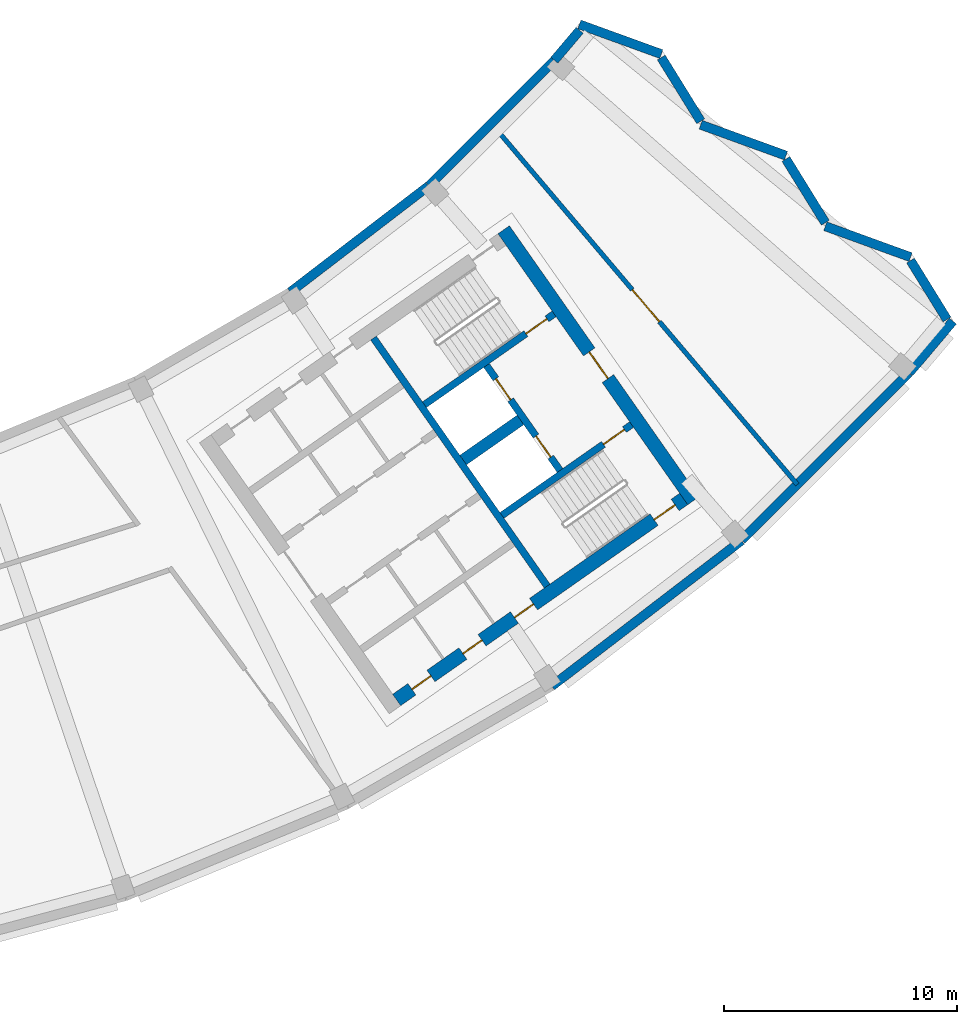
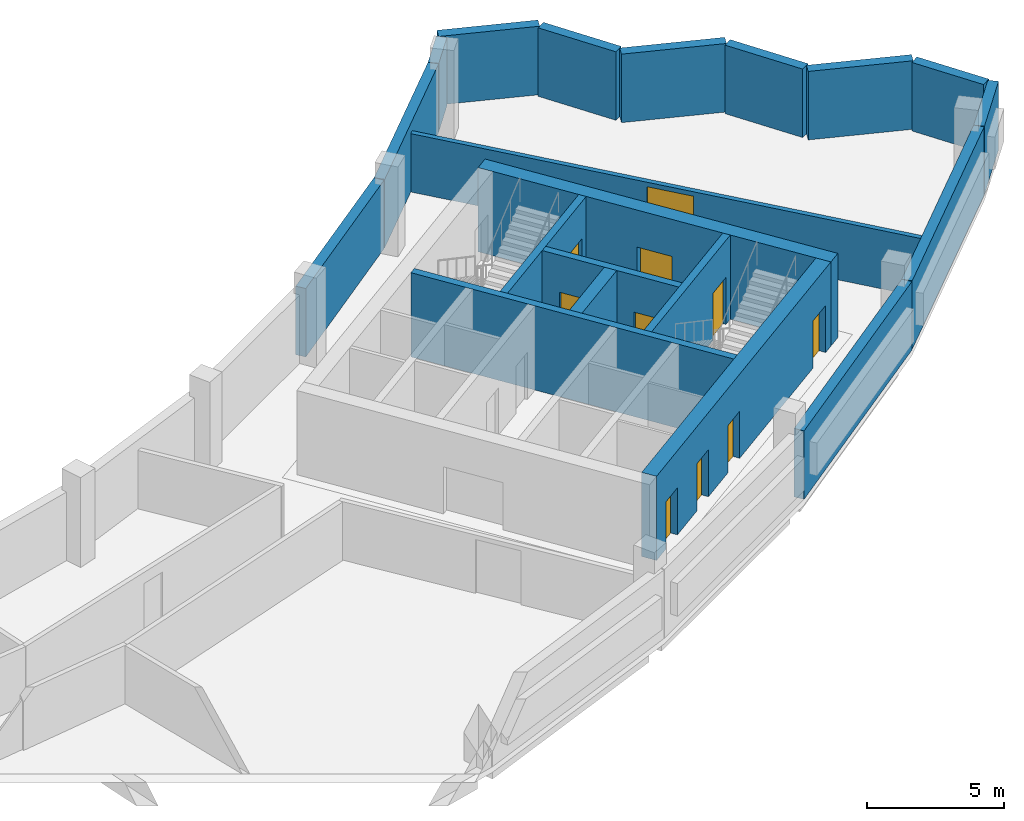
# One storey, part 6 of 11: 20 walls, 10 doors, 10 openings.
"""IFC4 building model written with IfcOpenShell, lengths in metres."""

from ifc_helpers import new_model, si_unit, direction, frame, frame_2d, origin, place, context, subcontext, project, spatial, rectangle, extrude, material, layer, layer_set, type_object, element, fill, save


model = new_model("IFC4")

# Units and contexts
model_context = context("Model", 3, precision=1e-05, world=origin(), true_north=direction((0.0, 1.0)))
body_context = subcontext(model_context, "Body", "Model", "MODEL_VIEW")
ifc_project = project(units=[si_unit("LENGTHUNIT", "METRE"), si_unit("AREAUNIT", "SQUARE_METRE"), si_unit("VOLUMEUNIT", "CUBIC_METRE"), si_unit("PLANEANGLEUNIT", "RADIAN"), si_unit("MASSUNIT", "GRAM", prefix="KILO")], contexts=[model_context])

# Site, building, storey
site_placement = place(None, origin())
site = spatial("IfcSite", under=ifc_project, at=site_placement, CompositionType="ELEMENT")
building_placement = place(site_placement, origin())
building = spatial("IfcBuilding", under=site, at=building_placement, Name="Qamariyya Broadcast Tower", CompositionType="ELEMENT")
storey_placement = place(building_placement, frame((0.0, 0.0, 310.699951171875)))
storey = spatial("IfcBuildingStorey", under=building, at=storey_placement, Name="L75", CompositionType="ELEMENT", Elevation=310.699951171875)

# Wall, opening, door
ifc_material_1 = material(Name="Concrete C60/75", Category="concrete")
ifc_layer_1 = layer(ifc_material_1, 0.60009765625)
ifc_layer_set_1 = layer_set([ifc_layer_1], Name="Core wall 600 mm Concrete C60/75")
wall_type_1 = type_object("IfcWallType", Name="Core wall 600 mm Concrete C60/75", PredefinedType="SHEAR", material=ifc_layer_set_1)
wall_1_placement = place(storey_placement, frame((49.4833984375, -57.031494140625, 0.0), z_axis=(0.0, 0.0, 1.0), x_axis=(-0.573560421458, 0.819163257805, 0.0)))
wall_1 = element("IfcWall", 1, at=wall_1_placement, inside=storey, type_object=wall_type_1, Name="k-E-L75-WH", PredefinedType="SHEAR", context=body_context, shape_type="SweptSolid", body=[
    extrude(rectangle(XDim=14.199951171875, YDim=0.60009765625, at=frame_2d((7.10009765625, 0.0))), origin(), (0.0, 0.0, 1.0), 3.75),
])
opening_1_placement = place(wall_1_placement, frame((6.39990234375, 0.0, 0.0)))
opening_1 = element("IfcOpeningElement", 2, at=opening_1_placement, cuts=wall_1, Name="Opening KD2-E1", PredefinedType="OPENING", context=body_context, shape_type="SweptSolid", body=[
    extrude(rectangle(XDim=1.39990234375, YDim=2.10009765625, at=frame_2d((0.699951171875, 1.050048828125))), frame((0.0, 0.31005859375, 0.0), z_axis=(0.0, -1.0, 0.0), x_axis=(1.0, 0.0, 0.0)), (0.0, 0.0, 1.0), 0.6201171875),
])
ifc_material_2 = material(Name="Steel fire-resisting door leaf", Category="steel")
door_type_1 = type_object("IfcDoorType", Name="Fire-fighting lobby door KD2", OperationType="DOUBLE_DOOR_SINGLE_SWING", PredefinedType="DOOR", material=ifc_material_2)
door_1_placement = place(opening_1_placement, origin())
door_1 = element("IfcDoor", 3, at=door_1_placement, inside=storey, type_object=door_type_1, Name="k-E-L75-WH-D16", OperationType="DOUBLE_DOOR_SINGLE_SWING", OverallHeight=2.10009765625, OverallWidth=1.39990234375, PredefinedType="DOOR", context=body_context, shape_type="SweptSolid", body=[
    extrude(rectangle(XDim=1.39990234375, YDim=2.10009765625, at=frame_2d((0.699951171875, 1.050048828125))), frame((0.0, 0.02490234375, 0.0), z_axis=(0.0, -1.0, 0.0), x_axis=(1.0, 0.0, 0.0)), (0.0, 0.0, 1.0), 0.050048828125),
])
fill(opening_1, door_1)

# Wall, openings, doors
wall_2_placement = place(storey_placement, frame((36.7412109375, -65.58740234375, 0.0), z_axis=(0.0, 0.0, 1.0), x_axis=(0.819153391756, 0.573574511963, 0.0)))
wall_2 = element("IfcWall", 4, at=wall_2_placement, inside=storey, type_object=wall_type_1, Name="k-E-L75-WO", PredefinedType="SHEAR", context=body_context, shape_type="SweptSolid", body=[
    extrude(rectangle(XDim=15.04541015625, YDim=0.60009765625, at=frame_2d((7.522705078125, 0.0))), origin(), (0.0, 0.0, 1.0), 3.75),
])
opening_2_placement = place(wall_2_placement, frame((0.800048828125, 0.0, 0.0)))
opening_2 = element("IfcOpeningElement", 5, at=opening_2_placement, cuts=wall_2, Name="Opening KD4-E10", PredefinedType="OPENING", context=body_context, shape_type="SweptSolid", body=[
    extrude(rectangle(XDim=1.0, YDim=2.10009765625, at=frame_2d((0.5, 1.050048828125))), frame((0.0, 0.31005859375, 0.0), z_axis=(0.0, -1.0, 0.0), x_axis=(1.0, 0.0, 0.0)), (0.0, 0.0, 1.0), 0.6201171875),
])
opening_3_placement = place(wall_2_placement, frame((3.47509765625, 0.0, 0.0)))
opening_3 = element("IfcOpeningElement", 6, at=opening_3_placement, cuts=wall_2, Name="Opening KD4-E11", PredefinedType="OPENING", context=body_context, shape_type="SweptSolid", body=[
    extrude(rectangle(XDim=1.0, YDim=2.10009765625, at=frame_2d((0.5, 1.050048828125))), frame((0.0, 0.31005859375, 0.0), z_axis=(0.0, -1.0, 0.0), x_axis=(1.0, 0.0, 0.0)), (0.0, 0.0, 1.0), 0.6201171875),
])
opening_4_placement = place(wall_2_placement, frame((6.175048828125, 0.0, 0.0)))
opening_4 = element("IfcOpeningElement", 7, at=opening_4_placement, cuts=wall_2, Name="Opening KD4-E12", PredefinedType="OPENING", context=body_context, shape_type="SweptSolid", body=[
    extrude(rectangle(XDim=1.0, YDim=2.10009765625, at=frame_2d((0.5, 1.050048828125))), frame((0.0, 0.31005859375, 0.0), z_axis=(0.0, -1.0, 0.0), x_axis=(1.0, 0.0, 0.0)), (0.0, 0.0, 1.0), 0.6201171875),
])
opening_5_placement = place(wall_2_placement, frame((13.495361328125, 0.0, 0.0)))
opening_5 = element("IfcOpeningElement", 8, at=opening_5_placement, cuts=wall_2, Name="Opening KD1-E3", PredefinedType="OPENING", context=body_context, shape_type="SweptSolid", body=[
    extrude(rectangle(XDim=1.10009765625, YDim=2.10009765625, at=frame_2d((0.550048828125, 1.050048828125))), frame((0.0, 0.31005859375, 0.0), z_axis=(0.0, -1.0, 0.0), x_axis=(1.0, 0.0, 0.0)), (0.0, 0.0, 1.0), 0.6201171875),
])
door_type_2 = type_object("IfcDoorType", Name="Riser and plant door KD4", OperationType="SINGLE_SWING_LEFT", PredefinedType="DOOR", material=ifc_material_2)
door_2_placement = place(opening_2_placement, origin())
door_2 = element("IfcDoor", 9, at=door_2_placement, inside=storey, type_object=door_type_2, Name="k-E-L75-WO-D11", OperationType="SINGLE_SWING_LEFT", OverallHeight=2.10009765625, OverallWidth=1.0, PredefinedType="DOOR", context=body_context, shape_type="SweptSolid", body=[
    extrude(rectangle(XDim=1.0, YDim=2.10009765625, at=frame_2d((0.5, 1.050048828125))), frame((0.0, 0.02490234375, 0.0), z_axis=(0.0, -1.0, 0.0), x_axis=(1.0, 0.0, 0.0)), (0.0, 0.0, 1.0), 0.050048828125),
])
fill(opening_2, door_2)
door_3_placement = place(opening_3_placement, origin())
door_3 = element("IfcDoor", 10, at=door_3_placement, inside=storey, type_object=door_type_2, Name="k-E-L75-WO-D12", OperationType="SINGLE_SWING_RIGHT", OverallHeight=2.10009765625, OverallWidth=1.0, PredefinedType="DOOR", context=body_context, shape_type="SweptSolid", body=[
    extrude(rectangle(XDim=1.0, YDim=2.10009765625, at=frame_2d((0.5, 1.050048828125))), frame((0.0, 0.02490234375, 0.0), z_axis=(0.0, -1.0, 0.0), x_axis=(1.0, 0.0, 0.0)), (0.0, 0.0, 1.0), 0.050048828125),
])
fill(opening_3, door_3)
door_4_placement = place(opening_4_placement, origin())
door_4 = element("IfcDoor", 11, at=door_4_placement, inside=storey, type_object=door_type_2, Name="k-E-L75-WO-D13", OperationType="SINGLE_SWING_LEFT", OverallHeight=2.10009765625, OverallWidth=1.0, PredefinedType="DOOR", context=body_context, shape_type="SweptSolid", body=[
    extrude(rectangle(XDim=1.0, YDim=2.10009765625, at=frame_2d((0.5, 1.050048828125))), frame((0.0, 0.02490234375, 0.0), z_axis=(0.0, -1.0, 0.0), x_axis=(1.0, 0.0, 0.0)), (0.0, 0.0, 1.0), 0.050048828125),
])
fill(opening_4, door_4)
door_type_3 = type_object("IfcDoorType", Name="Stair door KD1", OperationType="SINGLE_SWING_LEFT", PredefinedType="DOOR", material=ifc_material_2)
door_5_placement = place(opening_5_placement, origin())
door_5 = element("IfcDoor", 12, at=door_5_placement, inside=storey, type_object=door_type_3, Name="k-E-L75-WO-D19", OperationType="SINGLE_SWING_LEFT", OverallHeight=2.10009765625, OverallWidth=1.10009765625, PredefinedType="DOOR", context=body_context, shape_type="SweptSolid", body=[
    extrude(rectangle(XDim=1.10009765625, YDim=2.10009765625, at=frame_2d((0.550048828125, 1.050048828125))), frame((0.0, 0.02490234375, 0.0), z_axis=(0.0, -1.0, 0.0), x_axis=(1.0, 0.0, 0.0)), (0.0, 0.0, 1.0), 0.050048828125),
])
fill(opening_5, door_5)

# Walls
ifc_layer_2 = layer(ifc_material_1, 0.5)
ifc_layer_set_2 = layer_set([ifc_layer_2], Name="Fire-fighting lobby divider wall 500 mm Concrete C60/75")
wall_type_2 = type_object("IfcWallType", Name="Fire-fighting lobby divider wall 500 mm Concrete C60/75", PredefinedType="SOLIDWALL", material=ifc_layer_set_2)
wall_3_placement = place(storey_placement, frame((39.59912109375, -55.28515625, 0.0), z_axis=(0.0, 0.0, 1.0), x_axis=(0.819136323161, 0.573598887793, 0.0)))
element("IfcWall", 13, at=wall_3_placement, inside=storey, type_object=wall_type_2, Name="k-E-L75-FD", PredefinedType="SOLIDWALL", context=body_context, shape_type="SweptSolid", body=[
    extrude(rectangle(XDim=2.999755859375, YDim=0.5, at=frame_2d((1.5, 0.0))), origin(), (0.0, 0.0, 1.0), 3.75),
])
ifc_layer_3 = layer(ifc_material_1, 0.300048828125)
ifc_layer_set_3 = layer_set([ifc_layer_3], Name="Lift shaft wall 300 mm Concrete C60/75")
wall_type_3 = type_object("IfcWallType", Name="Lift shaft wall 300 mm Concrete C60/75", PredefinedType="SOLIDWALL", material=ifc_layer_set_3)
wall_4_placement = place(storey_placement, frame((43.204345703125, -60.69580078125, 0.0), z_axis=(0.0, 0.0, 1.0), x_axis=(-0.573571992966, 0.819155155563, 0.0)))
element("IfcWall", 14, at=wall_4_placement, inside=storey, type_object=wall_type_3, Name="k-E-L75-WL", PredefinedType="SOLIDWALL", context=body_context, shape_type="SweptSolid", body=[
    extrude(rectangle(XDim=13.000244140625, YDim=0.300048828125, at=frame_2d((6.5, 0.0))), origin(), (0.0, 0.0, 1.0), 3.75),
])

# Wall, opening, door
wall_5_placement = place(storey_placement, frame((37.935546875, -52.90966796875, 0.0), z_axis=(0.0, 0.0, 1.0), x_axis=(0.819147518138, 0.57358290031, 0.0)))
wall_5 = element("IfcWall", 15, at=wall_5_placement, inside=storey, type_object=wall_type_3, Name="k-E-L75-NW", PredefinedType="SOLIDWALL", context=body_context, shape_type="SweptSolid", body=[
    extrude(rectangle(XDim=6.79541015625, YDim=0.300048828125, at=frame_2d((3.397705078125, 0.0))), origin(), (0.0, 0.0, 1.0), 3.75),
])
opening_6_placement = place(wall_5_placement, frame((5.3203125, 0.0, 0.0)))
opening_6 = element("IfcOpeningElement", 16, at=opening_6_placement, cuts=wall_5, Name="Opening KD1-E2", PredefinedType="OPENING", context=body_context, shape_type="SweptSolid", body=[
    extrude(rectangle(XDim=1.10009765625, YDim=2.10009765625, at=frame_2d((0.550048828125, 1.050048828125))), frame((0.0, 0.159912109375, 0.0), z_axis=(0.0, -1.0, 0.0), x_axis=(1.0, 0.0, 0.0)), (0.0, 0.0, 1.0), 0.320068359375),
])
door_6_placement = place(opening_6_placement, origin())
door_6 = element("IfcDoor", 17, at=door_6_placement, inside=storey, type_object=door_type_3, Name="k-E-L75-NW-D18", OperationType="SINGLE_SWING_RIGHT", OverallHeight=2.10009765625, OverallWidth=1.10009765625, PredefinedType="DOOR", context=body_context, shape_type="SweptSolid", body=[
    extrude(rectangle(XDim=1.10009765625, YDim=2.10009765625, at=frame_2d((0.550048828125, 1.050048828125))), frame((0.0, 0.02490234375, 0.0), z_axis=(0.0, -1.0, 0.0), x_axis=(1.0, 0.0, 0.0)), (0.0, 0.0, 1.0), 0.050048828125),
])
fill(opening_6, door_6)

wall_6_placement = place(storey_placement, frame((41.262451171875, -57.66064453125, 0.0), z_axis=(0.0, 0.0, 1.0), x_axis=(0.819164398642, 0.573558792102, 0.0)))
wall_6 = element("IfcWall", 18, at=wall_6_placement, inside=storey, type_object=wall_type_3, Name="k-E-L75-SW", PredefinedType="SOLIDWALL", context=body_context, shape_type="SweptSolid", body=[
    extrude(rectangle(XDim=6.795166015625, YDim=0.300048828125, at=frame_2d((3.3974609375, 0.0))), origin(), (0.0, 0.0, 1.0), 3.75),
])
opening_7_placement = place(wall_6_placement, frame((5.3203125, 0.0, 0.0)))
opening_7 = element("IfcOpeningElement", 19, at=opening_7_placement, cuts=wall_6, Name="Opening KD1-E4", PredefinedType="OPENING", context=body_context, shape_type="SweptSolid", body=[
    extrude(rectangle(XDim=1.10009765625, YDim=2.10009765625, at=frame_2d((0.550048828125, 1.050048828125))), frame((0.0, 0.159912109375, 0.0), z_axis=(0.0, -1.0, 0.0), x_axis=(1.0, 0.0, 0.0)), (0.0, 0.0, 1.0), 0.320068359375),
])
door_7_placement = place(opening_7_placement, origin())
door_7 = element("IfcDoor", 20, at=door_7_placement, inside=storey, type_object=door_type_3, Name="k-E-L75-SW-D20", OperationType="SINGLE_SWING_RIGHT", OverallHeight=2.10009765625, OverallWidth=1.10009765625, PredefinedType="DOOR", context=body_context, shape_type="SweptSolid", body=[
    extrude(rectangle(XDim=1.10009765625, YDim=2.10009765625, at=frame_2d((0.550048828125, 1.050048828125))), frame((0.0, 0.02490234375, 0.0), z_axis=(0.0, -1.0, 0.0), x_axis=(1.0, 0.0, 0.0)), (0.0, 0.0, 1.0), 0.050048828125),
])
fill(opening_7, door_7)

# Wall, openings, doors
wall_7_placement = place(storey_placement, frame((43.756591796875, -55.731201171875, 0.0), z_axis=(0.0, 0.0, 1.0), x_axis=(-0.573536818435, 0.819179783625, 0.0)))
wall_7 = element("IfcWall", 21, at=wall_7_placement, inside=storey, type_object=wall_type_3, Name="k-E-L75-FF", PredefinedType="SOLIDWALL", context=body_context, shape_type="SweptSolid", body=[
    extrude(rectangle(XDim=5.500244140625, YDim=0.300048828125, at=frame_2d((2.75, 0.0))), origin(), (0.0, 0.0, 1.0), 3.75),
])
opening_8_placement = place(wall_7_placement, frame((0.699951171875, 0.0, 0.0)))
opening_8 = element("IfcOpeningElement", 22, at=opening_8_placement, cuts=wall_7, Name="Opening LD", PredefinedType="OPENING", context=body_context, shape_type="SweptSolid", body=[
    extrude(rectangle(XDim=1.10009765625, YDim=2.10009765625, at=frame_2d((0.550048828125, 1.050048828125))), frame((0.0, 0.159912109375, 0.0), z_axis=(0.0, -1.0, 0.0), x_axis=(1.0, 0.0, 0.0)), (0.0, 0.0, 1.0), 0.320068359375),
])
opening_9_placement = place(wall_7_placement, frame((3.699951171875, 0.0, 0.0)))
opening_9 = element("IfcOpeningElement", 23, at=opening_9_placement, cuts=wall_7, Name="Opening LD", PredefinedType="OPENING", context=body_context, shape_type="SweptSolid", body=[
    extrude(rectangle(XDim=1.10009765625, YDim=2.10009765625, at=frame_2d((0.550048828125, 1.050048828125))), frame((0.0, 0.159912109375, 0.0), z_axis=(0.0, -1.0, 0.0), x_axis=(1.0, 0.0, 0.0)), (0.0, 0.0, 1.0), 0.320068359375),
])
door_type_4 = type_object("IfcDoorType", Name="Lift landing door LD", OperationType="DOUBLE_DOOR_SLIDING", PredefinedType="DOOR", material=ifc_material_2)
door_8_placement = place(opening_8_placement, origin())
door_8 = element("IfcDoor", 24, at=door_8_placement, inside=storey, type_object=door_type_4, Name="k-E-L75-FF-D14", OperationType="DOUBLE_DOOR_SLIDING", OverallHeight=2.10009765625, OverallWidth=1.10009765625, PredefinedType="DOOR", context=body_context, shape_type="SweptSolid", body=[
    extrude(rectangle(XDim=1.10009765625, YDim=2.10009765625, at=frame_2d((0.550048828125, 1.050048828125))), frame((0.0, 0.02490234375, 0.0), z_axis=(0.0, -1.0, 0.0), x_axis=(1.0, 0.0, 0.0)), (0.0, 0.0, 1.0), 0.050048828125),
])
fill(opening_8, door_8)
door_9_placement = place(opening_9_placement, origin())
door_9 = element("IfcDoor", 25, at=door_9_placement, inside=storey, type_object=door_type_4, Name="k-E-L75-FF-D15", OperationType="DOUBLE_DOOR_SLIDING", OverallHeight=2.10009765625, OverallWidth=1.10009765625, PredefinedType="DOOR", context=body_context, shape_type="SweptSolid", body=[
    extrude(rectangle(XDim=1.10009765625, YDim=2.10009765625, at=frame_2d((0.550048828125, 1.050048828125))), frame((0.0, 0.02490234375, 0.0), z_axis=(0.0, -1.0, 0.0), x_axis=(1.0, 0.0, 0.0)), (0.0, 0.0, 1.0), 0.050048828125),
])
fill(opening_9, door_9)

# Wall, opening, door
ifc_material_3 = material(Name="Masonry block wall", Category="masonry")
ifc_layer_4 = layer(ifc_material_3, 0.199951171875)
ifc_layer_set_4 = layer_set([ifc_layer_4], Name="Plant room wall 200 EI 120")
wall_type_4 = type_object("IfcWallType", Name="Plant room wall 200 EI 120", PredefinedType="PARTITIONING", material=ifc_layer_set_4)
wall_8_placement = place(storey_placement, frame((40.93603515625, -40.982666015625, 0.0), z_axis=(0.0, 0.0, 1.0), x_axis=(0.646426079671, -0.76297662056, 0.0)))
wall_8 = element("IfcWall", 26, at=wall_8_placement, inside=storey, type_object=wall_type_4, Name="Partition L75-024", PredefinedType="PARTITIONING", context=body_context, shape_type="SweptSolid", body=[
    extrude(rectangle(XDim=20.1259765625, YDim=0.199951171875, at=frame_2d((10.06298828125, 0.0))), origin(), (0.0, 0.0, 1.0), 2.60009765625),
])
opening_10_placement = place(wall_8_placement, frame((9.1630859375, 0.0, 0.0)))
opening_10 = element("IfcOpeningElement", 27, at=opening_10_placement, cuts=wall_8, Name="Opening L75-D12", PredefinedType="OPENING", context=body_context, shape_type="SweptSolid", body=[
    extrude(rectangle(XDim=1.800048828125, YDim=2.39990234375, at=frame_2d((0.89990234375, 1.199951171875))), frame((0.0, 0.10986328125, 0.0), z_axis=(0.0, -1.0, 0.0), x_axis=(1.0, 0.0, 0.0)), (0.0, 0.0, 1.0), 0.219970703125),
])
ifc_material_4 = material(Name="Insulated metal door leaf")
door_type_5 = type_object("IfcDoorType", Name="Plant double door 1800 x 2400 FD120", OperationType="NOTDEFINED", PredefinedType="DOOR", material=ifc_material_4)
door_10_placement = place(opening_10_placement, origin())
door_10 = element("IfcDoor", 28, at=door_10_placement, inside=storey, type_object=door_type_5, Name="Door L75-D12", OperationType="DOUBLE_DOOR_SINGLE_SWING", OverallHeight=2.39990234375, OverallWidth=1.800048828125, PredefinedType="DOOR", context=body_context, shape_type="SweptSolid", body=[
    extrude(rectangle(XDim=1.800048828125, YDim=2.39990234375, at=frame_2d((0.89990234375, 1.199951171875))), frame((0.0, 0.02490234375, 0.0), z_axis=(0.0, -1.0, 0.0), x_axis=(1.0, 0.0, 0.0)), (0.0, 0.0, 1.0), 0.050048828125),
])
fill(opening_10, door_10)

# Walls
ifc_material_5 = material(Name="Terracotta", Category="masonry")
ifc_layer_5 = layer(ifc_material_5, 0.39990234375)
ifc_layer_set_5 = layer_set([ifc_layer_5], Name="Solid terracotta louvred band wall 400")
wall_type_5 = type_object("IfcWallType", Name="Solid terracotta louvred band wall 400", PredefinedType="SOLIDWALL", material=ifc_layer_set_5)
wall_9_placement = place(storey_placement, frame((60.36962890625, -49.252685546875, 0.0), z_axis=(0.0, 0.0, 1.0), x_axis=(-0.525538284274, 0.850769952315, 0.0)))
element("IfcWall", 29, at=wall_9_placement, inside=storey, type_object=wall_type_5, Name="e-wl-L75-capE0", PredefinedType="SOLIDWALL", context=body_context, shape_type="SweptSolid", body=[
    extrude(rectangle(XDim=2.976318359375, YDim=0.39990234375, at=frame_2d((1.48828125, 0.0))), origin(), (0.0, 0.0, 1.0), 3.050048828125),
])
wall_10_placement = place(storey_placement, frame((58.806396484375, -46.57421875, 0.0), z_axis=(0.0, 0.0, 1.0), x_axis=(-0.940075029039, 0.340967652099, 0.0)))
element("IfcWall", 30, at=wall_10_placement, inside=storey, type_object=wall_type_5, Name="e-wl-L75-capE1", PredefinedType="SOLIDWALL", context=body_context, shape_type="SweptSolid", body=[
    extrude(rectangle(XDim=3.893798828125, YDim=0.39990234375, at=frame_2d((1.94677734375, 0.0))), origin(), (0.0, 0.0, 1.0), 3.050048828125),
])
wall_11_placement = place(storey_placement, frame((55.14697265625, -45.1005859375, 0.0), z_axis=(0.0, 0.0, 1.0), x_axis=(-0.525649491409, 0.850701247314, 0.0)))
element("IfcWall", 31, at=wall_11_placement, inside=storey, type_object=wall_type_5, Name="e-wl-L75-capE2", PredefinedType="SOLIDWALL", context=body_context, shape_type="SweptSolid", body=[
    extrude(rectangle(XDim=3.21923828125, YDim=0.39990234375, at=frame_2d((1.609619140625, 0.0))), origin(), (0.0, 0.0, 1.0), 3.050048828125),
])
wall_12_placement = place(storey_placement, frame((53.455810546875, -42.216064453125, 0.0), z_axis=(0.0, 0.0, 1.0), x_axis=(-0.940086069154, 0.340937212083, 0.0)))
element("IfcWall", 32, at=wall_12_placement, inside=storey, type_object=wall_type_5, Name="e-wl-L75-capE3", PredefinedType="SOLIDWALL", context=body_context, shape_type="SweptSolid", body=[
    extrude(rectangle(XDim=3.892578125, YDim=0.39990234375, at=frame_2d((1.9462890625, 0.0))), origin(), (0.0, 0.0, 1.0), 3.050048828125),
])
wall_13_placement = place(storey_placement, frame((49.797119140625, -40.742919921875, 0.0), z_axis=(0.0, 0.0, 1.0), x_axis=(-0.525678481137, 0.850683333838, 0.0)))
element("IfcWall", 33, at=wall_13_placement, inside=storey, type_object=wall_type_5, Name="e-wl-L75-capE4", PredefinedType="SOLIDWALL", context=body_context, shape_type="SweptSolid", body=[
    extrude(rectangle(XDim=3.220458984375, YDim=0.39990234375, at=frame_2d((1.6103515625, 0.0))), origin(), (0.0, 0.0, 1.0), 3.050048828125),
])
wall_14_placement = place(storey_placement, frame((48.105224609375, -37.857421875, 0.0), z_axis=(0.0, 0.0, 1.0), x_axis=(-0.940130056589, 0.340815898541, 0.0)))
element("IfcWall", 34, at=wall_14_placement, inside=storey, type_object=wall_type_5, Name="e-wl-L75-capE5", PredefinedType="SOLIDWALL", context=body_context, shape_type="SweptSolid", body=[
    extrude(rectangle(XDim=3.742919921875, YDim=0.39990234375, at=frame_2d((1.87158203125, 0.0))), origin(), (0.0, 0.0, 1.0), 3.050048828125),
])
wall_15_placement = place(storey_placement, frame((38.103271484375, -43.525146484375, 0.0), z_axis=(0.0, 0.0, 1.0), x_axis=(-0.793355236357, -0.608758957999, 0.0)))
element("IfcWall", 35, at=wall_15_placement, inside=storey, type_object=wall_type_5, Name="e-wl-L75-in120", PredefinedType="SOLIDWALL", context=body_context, shape_type="SweptSolid", body=[
    extrude(rectangle(XDim=7.4658203125, YDim=0.39990234375, at=frame_2d((3.73291015625, 0.0))), origin(), (0.0, 0.0, 1.0), 3.050048828125),
])
wall_16_placement = place(storey_placement, frame((43.50146484375, -38.13623046875, 0.0), z_axis=(0.0, 0.0, 1.0), x_axis=(-0.707106781187, -0.707106781187, 0.0)))
element("IfcWall", 36, at=wall_16_placement, inside=storey, type_object=wall_type_5, Name="e-wl-L75-in130", PredefinedType="SOLIDWALL", context=body_context, shape_type="SweptSolid", body=[
    extrude(rectangle(XDim=7.6025390625, YDim=0.39990234375, at=frame_2d((3.80126953125, 0.0))), origin(), (0.0, 0.0, 1.0), 3.050048828125),
])
wall_17_placement = place(storey_placement, frame((44.59814453125, -36.8369140625, 0.0), z_axis=(0.0, 0.0, 1.0), x_axis=(-0.645545650865, -0.763721685334, 0.0)))
element("IfcWall", 37, at=wall_17_placement, inside=storey, type_object=wall_type_5, Name="e-wl-L75-in140", PredefinedType="SOLIDWALL", context=body_context, shape_type="SweptSolid", body=[
    extrude(rectangle(XDim=1.68359375, YDim=0.39990234375, at=frame_2d((0.841796875, 0.0))), origin(), (0.0, 0.0, 1.0), 3.050048828125),
])
wall_18_placement = place(storey_placement, frame((43.397705078125, -64.994140625, 0.0), z_axis=(0.0, 0.0, 1.0), x_axis=(0.793354972355, 0.608759302055, 0.0)))
element("IfcWall", 38, at=wall_18_placement, inside=storey, type_object=wall_type_5, Name="e-wl-L75-out120", PredefinedType="SOLIDWALL", context=body_context, shape_type="SweptSolid", body=[
    extrude(rectangle(XDim=10.2724609375, YDim=0.39990234375, at=frame_2d((5.13623046875, 0.0))), origin(), (0.0, 0.0, 1.0), 3.050048828125),
])
wall_19_placement = place(storey_placement, frame((51.5634765625, -58.719970703125, 0.0), z_axis=(0.0, 0.0, 1.0), x_axis=(0.707118813872, 0.707094748296, 0.0)))
element("IfcWall", 39, at=wall_19_placement, inside=storey, type_object=wall_type_5, Name="e-wl-L75-out130", PredefinedType="SOLIDWALL", context=body_context, shape_type="SweptSolid", body=[
    extrude(rectangle(XDim=10.144775390625, YDim=0.39990234375, at=frame_2d((5.072265625, 0.0))), origin(), (0.0, 0.0, 1.0), 3.050048828125),
])
wall_20_placement = place(storey_placement, frame((58.74951171875, -51.53564453125, 0.0), z_axis=(0.0, 0.0, 1.0), x_axis=(0.6455801385, 0.763692532878, 0.0)))
element("IfcWall", 40, at=wall_20_placement, inside=storey, type_object=wall_type_5, Name="e-wl-L75-out140", PredefinedType="SOLIDWALL", context=body_context, shape_type="SweptSolid", body=[
    extrude(rectangle(XDim=2.902099609375, YDim=0.39990234375, at=frame_2d((1.451171875, 0.0))), origin(), (0.0, 0.0, 1.0), 3.050048828125),
])

save(model, "model.ifc")
